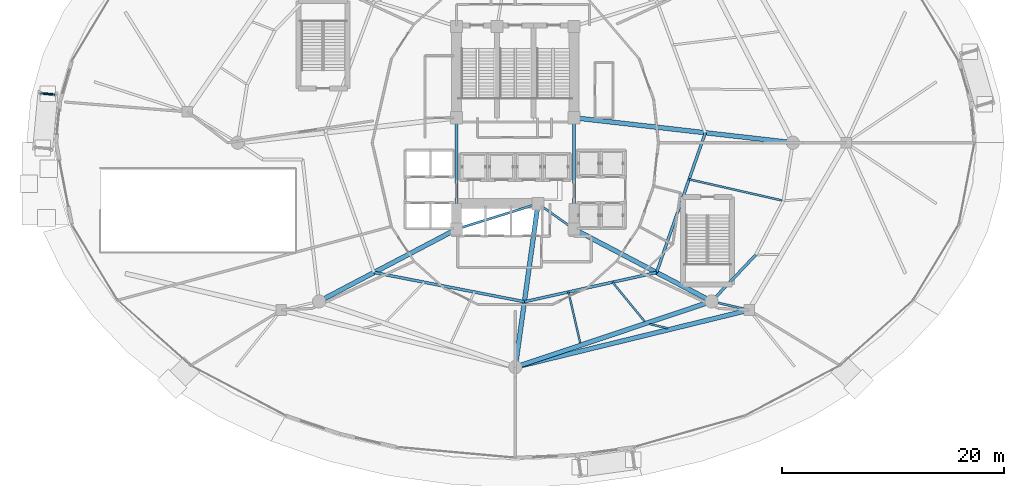
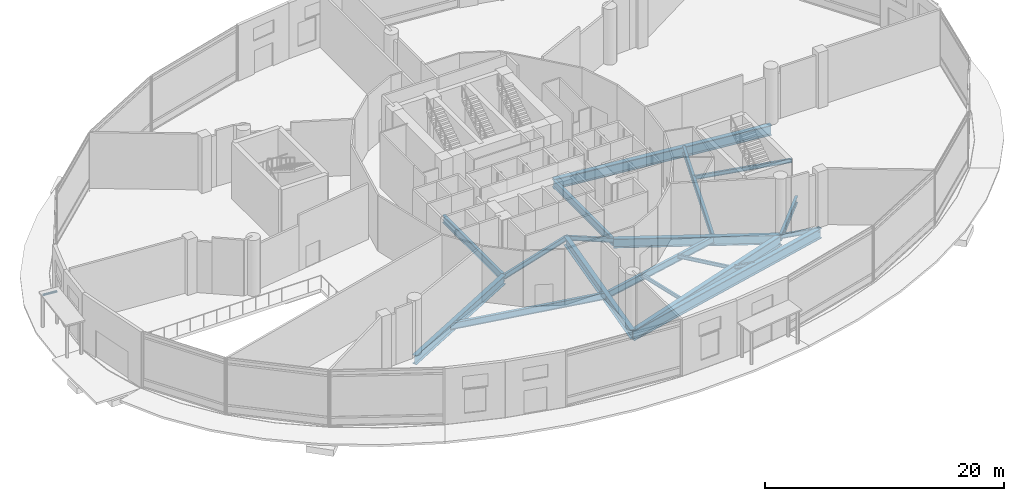
# One storey, part 15 of 40: 19 beams, 1 member.
"""IFC4 building model written with IfcOpenShell, lengths in metres."""

from ifc_helpers import new_model, si_unit, direction, frame, origin, origin_2d, place, context, subcontext, project, spatial, hollow_circle, i_section, extrude, material, material_profile, profile_set, type_object, element, save


model = new_model("IFC4")

# Units and contexts
model_context = context("Model", 3, precision=1e-05, world=origin(), true_north=direction((0.0, 1.0)))
body_context = subcontext(model_context, "Body", "Model", "MODEL_VIEW")
ifc_project = project(units=[si_unit("LENGTHUNIT", "METRE"), si_unit("AREAUNIT", "SQUARE_METRE"), si_unit("VOLUMEUNIT", "CUBIC_METRE"), si_unit("PLANEANGLEUNIT", "RADIAN"), si_unit("MASSUNIT", "GRAM", prefix="KILO")], contexts=[model_context])

# Site, building, storey
site_placement = place(None, origin())
site = spatial("IfcSite", under=ifc_project, at=site_placement, CompositionType="ELEMENT")
building_placement = place(site_placement, origin())
building = spatial("IfcBuilding", under=site, at=building_placement, Name="Nuhasar Tower", CompositionType="ELEMENT")
storey_placement = place(building_placement, origin())
storey = spatial("IfcBuildingStorey", under=building, at=storey_placement, Name="L00", CompositionType="ELEMENT", Elevation=0.0)

# Beams
ifc_material_1 = material(Name="Steel S355", Category="steel")
ifc_material_profile_1 = material_profile(ifc_material_1, i_section(OverallWidth=0.25390625, OverallDepth=0.68408203125, WebThickness=0.012451171875, FlangeThickness=0.018798828125, at=origin_2d()), Name="W27X94")
ifc_profile_set_1 = profile_set([ifc_material_profile_1], Name="Steel S355")
beam_type_1 = type_object("IfcBeamType", Name="BM-INRING-W27X94", PredefinedType="BEAM", material=ifc_profile_set_1)
beam_1_placement = place(storey_placement, frame((26.251953125, 15.089111328125, -0.662109375), z_axis=(0.981602977761, -0.190933480695, 0.0), x_axis=(0.190933480695, 0.981602977761, 0.0)))
element("IfcBeam", 1, at=beam_1_placement, inside=storey, type_object=beam_type_1, Name="L00 Inner Header Beam 01", PredefinedType="BEAM", context=body_context, shape_type="SweptSolid", body=[
    extrude(i_section(OverallWidth=0.25390625, OverallDepth=0.68408203125, WebThickness=0.012451171875, FlangeThickness=0.018798828125, at=origin_2d()), origin(), (0.0, 0.0, 1.0), 13.822509765625),
])
beam_2_placement = place(storey_placement, frame((39.820068359375, 12.449951171875, -0.662109375), z_axis=(0.976386023343, 0.216033176665, 0.0), x_axis=(-0.216033176665, 0.976386023343, 0.0)))
element("IfcBeam", 2, at=beam_2_placement, inside=storey, type_object=beam_type_1, Name="L00 Inner Header Beam 02", PredefinedType="BEAM", context=body_context, shape_type="SweptSolid", body=[
    extrude(i_section(OverallWidth=0.25390625, OverallDepth=0.68408203125, WebThickness=0.012451171875, FlangeThickness=0.018798828125, at=origin_2d()), origin(), (0.0, 0.0, 1.0), 12.216552734375),
])
beam_3_placement = place(storey_placement, frame((51.748046875, 15.089111328125, -0.662109375), z_axis=(0.329554049858, 0.944136710558, 0.0), x_axis=(-0.944136710558, 0.329554049858, 0.0)))
element("IfcBeam", 3, at=beam_3_placement, inside=storey, type_object=beam_type_1, Name="L00 Inner Header Beam 03", PredefinedType="BEAM", context=body_context, shape_type="SweptSolid", body=[
    extrude(i_section(OverallWidth=0.25390625, OverallDepth=0.68408203125, WebThickness=0.012451171875, FlangeThickness=0.018798828125, at=origin_2d()), origin(), (0.0, 0.0, 1.0), 13.35693359375),
])
ifc_material_profile_2 = material_profile(ifc_material_1, i_section(OverallWidth=0.1708984375, OverallDepth=0.35205078125, WebThickness=0.0068359375, FlangeThickness=0.009765625, at=origin_2d()), Name="W14X30")
ifc_profile_set_2 = profile_set([ifc_material_profile_2], Name="Steel S355")
beam_type_2 = type_object("IfcBeamType", Name="BM-JST-W14X30", PredefinedType="JOIST", material=ifc_profile_set_2)
beam_4_placement = place(storey_placement, frame((43.7958984375, 13.330078125, -0.49609375), z_axis=(0.224904818546, -0.974380738005, 0.0), x_axis=(0.974380738005, 0.224904818546, 0.0)))
element("IfcBeam", 4, at=beam_4_placement, inside=storey, type_object=beam_type_2, Name="L00 Secondary Floor Joist 03", PredefinedType="JOIST", context=body_context, shape_type="SweptSolid", body=[
    extrude(i_section(OverallWidth=0.1708984375, OverallDepth=0.35205078125, WebThickness=0.0068359375, FlangeThickness=0.009765625, at=origin_2d()), origin(), (0.0, 0.0, 1.0), 4.72216796875),
])
beam_5_placement = place(storey_placement, frame((47.77197265625, 14.208984375, -0.49609375), z_axis=(0.633863002168, -0.773445340333, 0.0), x_axis=(0.773445340333, 0.633863002168, 0.0)))
element("IfcBeam", 5, at=beam_5_placement, inside=storey, type_object=beam_type_2, Name="L00 Secondary Floor Joist 04", PredefinedType="JOIST", context=body_context, shape_type="SweptSolid", body=[
    extrude(i_section(OverallWidth=0.1708984375, OverallDepth=0.35205078125, WebThickness=0.0068359375, FlangeThickness=0.009765625, at=origin_2d()), origin(), (0.0, 0.0, 1.0), 4.5703125),
])
beam_6_placement = place(storey_placement, frame((51.117919921875, 10.43310546875, -0.49609375), z_axis=(0.97467582406, -0.223622534626, 0.0), x_axis=(0.223622534626, 0.97467582406, 0.0)))
element("IfcBeam", 6, at=beam_6_placement, inside=storey, type_object=beam_type_2, Name="L00 Podium Secondary Joist 04", PredefinedType="JOIST", context=body_context, shape_type="SweptSolid", body=[
    extrude(i_section(OverallWidth=0.1708984375, OverallDepth=0.35205078125, WebThickness=0.0068359375, FlangeThickness=0.009765625, at=origin_2d()), origin(), (0.0, 0.0, 1.0), 1.686767578125),
])
ifc_material_profile_3 = material_profile(ifc_material_1, i_section(OverallWidth=0.177978515625, OverallDepth=0.406005859375, WebThickness=0.0078125, FlangeThickness=0.0126953125, at=origin_2d()), Name="W16X40")
ifc_profile_set_3 = profile_set([ifc_material_profile_3], Name="Steel S355")
beam_type_3 = type_object("IfcBeamType", Name="BM-JST-W16X40", PredefinedType="JOIST", material=ifc_profile_set_3)
beam_7_placement = place(storey_placement, frame((54.68310546875, 23.49609375, -0.52294921875), z_axis=(0.975061715499, -0.221933888733, 0.0), x_axis=(0.221933888733, 0.975061715499, 0.0)))
element("IfcBeam", 7, at=beam_7_placement, inside=storey, type_object=beam_type_3, Name="L00 Secondary Floor Joist 06", PredefinedType="JOIST", context=body_context, shape_type="SweptSolid", body=[
    extrude(i_section(OverallWidth=0.177978515625, OverallDepth=0.406005859375, WebThickness=0.0078125, FlangeThickness=0.0126953125, at=origin_2d()), origin(), (0.0, 0.0, 1.0), 8.6025390625),
])
ifc_material_profile_4 = material_profile(ifc_material_1, i_section(OverallWidth=0.419921875, OverallDepth=0.931884765625, WebThickness=0.021240234375, FlangeThickness=0.03662109375, at=origin_2d()), Name="W36X262")
ifc_profile_set_4 = profile_set([ifc_material_profile_4], Name="Steel S355")
beam_type_4 = type_object("IfcBeamType", Name="BM-POD-W36X262", PredefinedType="BEAM", material=ifc_profile_set_4)
beam_8_placement = place(storey_placement, frame((33.699951171875, 19.0, -0.785888671875), z_axis=(-0.885330348705, -0.464962550816, 0.0), x_axis=(0.464962550816, -0.885330348705, 0.0)))
element("IfcBeam", 8, at=beam_8_placement, inside=storey, type_object=beam_type_4, Name="L00 Radial Floor Girder 01", PredefinedType="BEAM", context=body_context, shape_type="SweptSolid", body=[
    extrude(i_section(OverallWidth=0.419921875, OverallDepth=0.931884765625, WebThickness=0.021240234375, FlangeThickness=0.03662109375, at=origin_2d()), origin(), (0.0, 0.0, 1.0), 14.0205078125),
])
beam_9_placement = place(storey_placement, frame((41.050048828125, 21.300048828125, -0.785888671875), z_axis=(-0.137663087856, -0.990479113481, 0.0), x_axis=(0.990479113481, -0.137663087856, 0.0)))
element("IfcBeam", 9, at=beam_9_placement, inside=storey, type_object=beam_type_4, Name="L00 Radial Floor Girder 02", PredefinedType="BEAM", context=body_context, shape_type="SweptSolid", body=[
    extrude(i_section(OverallWidth=0.419921875, OverallDepth=0.931884765625, WebThickness=0.021240234375, FlangeThickness=0.03662109375, at=origin_2d()), origin(), (0.0, 0.0, 1.0), 14.891845703125),
])
beam_10_placement = place(storey_placement, frame((44.300048828125, 19.0, -0.785888671875), z_axis=(0.885330348705, -0.464962550816, 0.0), x_axis=(0.464962550816, 0.885330348705, 0.0)))
element("IfcBeam", 10, at=beam_10_placement, inside=storey, type_object=beam_type_4, Name="L00 Radial Floor Girder 03", PredefinedType="BEAM", context=body_context, shape_type="SweptSolid", body=[
    extrude(i_section(OverallWidth=0.419921875, OverallDepth=0.931884765625, WebThickness=0.021240234375, FlangeThickness=0.03662109375, at=origin_2d()), origin(), (0.0, 0.0, 1.0), 14.0205078125),
])
ifc_material_profile_5 = material_profile(ifc_material_1, i_section(OverallWidth=0.18994140625, OverallDepth=0.45703125, WebThickness=0.009033203125, FlangeThickness=0.014404296875, at=origin_2d()), Name="W18X50")
ifc_profile_set_5 = profile_set([ifc_material_profile_5], Name="Steel S355")
beam_type_5 = type_object("IfcBeamType", Name="BM-RAD-W18X50", PredefinedType="BEAM", material=ifc_profile_set_5)
beam_11_placement = place(storey_placement, frame((41.050048828125, 21.300048828125, -0.548095703125), z_axis=(0.816265428953, -0.577677028708, 0.0), x_axis=(0.577677028708, 0.816265428953, 0.0)))
element("IfcBeam", 11, at=beam_11_placement, inside=storey, type_object=beam_type_5, Name="L00 Core Ring Girder 2", PredefinedType="BEAM", context=body_context, shape_type="SweptSolid", body=[
    extrude(i_section(OverallWidth=0.18994140625, OverallDepth=0.45703125, WebThickness=0.009033203125, FlangeThickness=0.014404296875, at=origin_2d()), origin(), (0.0, 0.0, 1.0), 3.9814453125),
])
beam_12_placement = place(storey_placement, frame((56.712890625, 12.48095703125, -0.548095703125), z_axis=(0.974715141502, -0.223451097394, 0.0), x_axis=(0.223451097394, 0.974715141502, 0.0)))
element("IfcBeam", 12, at=beam_12_placement, inside=storey, type_object=beam_type_5, Name="L00 Podium Radial Girder 03", PredefinedType="BEAM", context=body_context, shape_type="SweptSolid", body=[
    extrude(i_section(OverallWidth=0.18994140625, OverallDepth=0.45703125, WebThickness=0.009033203125, FlangeThickness=0.014404296875, at=origin_2d()), origin(), (0.0, 0.0, 1.0), 3.482177734375),
])
ifc_material_profile_6 = material_profile(ifc_material_1, i_section(OverallWidth=0.208984375, OverallDepth=0.532958984375, WebThickness=0.01025390625, FlangeThickness=0.015625, at=origin_2d()), Name="W21X62")
ifc_profile_set_6 = profile_set([ifc_material_profile_6], Name="Steel S355")
beam_type_6 = type_object("IfcBeamType", Name="BM-RAD-W21X62", PredefinedType="BEAM", material=ifc_profile_set_6)
beam_13_placement = place(storey_placement, frame((33.699951171875, 19.0, -0.5869140625), z_axis=(0.954363709454, 0.298646798205, 0.0), x_axis=(-0.298646798205, 0.954363709454, 0.0)))
element("IfcBeam", 13, at=beam_13_placement, inside=storey, type_object=beam_type_6, Name="L00 Core Ring Girder 1", PredefinedType="BEAM", context=body_context, shape_type="SweptSolid", body=[
    extrude(i_section(OverallWidth=0.208984375, OverallDepth=0.532958984375, WebThickness=0.01025390625, FlangeThickness=0.015625, at=origin_2d()), origin(), (0.0, 0.0, 1.0), 7.70166015625),
])
ifc_material_profile_7 = material_profile(ifc_material_1, i_section(OverallWidth=0.26611328125, OverallDepth=0.779052734375, WebThickness=0.0166015625, FlangeThickness=0.030029296875, at=origin_2d()), Name="W30X148")
ifc_profile_set_7 = profile_set([ifc_material_profile_7], Name="Steel S355")
beam_type_7 = type_object("IfcBeamType", Name="BM-RAD-W30X148", PredefinedType="BEAM", material=ifc_profile_set_7)
for number, where, z_axis, x_axis, name in (
    (14, (44.300048828125, 19.0, -0.7099609375), (0.0, 1.0, 0.0), (-1.0, 0.0, 0.0), "L00 Core Ring Girder 3"),
    (15, (33.699951171875, 29.050048828125, -0.7099609375), (0.0, -1.0, 0.0), (1.0, 0.0, 0.0), "L00 Core Ring Girder 8"),
):
    element("IfcBeam", number, at=place(storey_placement, frame(where, z_axis=z_axis, x_axis=x_axis)), inside=storey, type_object=beam_type_7, Name=name, PredefinedType="BEAM", context=body_context, shape_type="SweptSolid", body=[
        extrude(i_section(OverallWidth=0.26611328125, OverallDepth=0.779052734375, WebThickness=0.0166015625, FlangeThickness=0.030029296875, at=origin_2d()), origin(), (0.0, 0.0, 1.0), 10.050048828125),
    ])
ifc_material_profile_8 = material_profile(ifc_material_1, i_section(OverallWidth=0.256103515625, OverallDepth=0.693115234375, WebThickness=0.014404296875, FlangeThickness=0.023681640625, at=origin_2d()), Name="W27X114")
ifc_profile_set_8 = profile_set([ifc_material_profile_8], Name="Steel S355")
beam_type_8 = type_object("IfcBeamType", Name="BM-RING-W27X114", PredefinedType="SPANDREL", material=ifc_profile_set_8)
beam_14_placement = place(storey_placement, frame((56.712890625, 12.48095703125, -0.666015625), z_axis=(0.688459812429, 0.725274490569, 0.0), x_axis=(-0.725274490569, 0.688459812429, 0.0)))
element("IfcBeam", 16, at=beam_14_placement, inside=storey, type_object=beam_type_8, Name="L00 Mega-Column Perimeter Ring Spandrel 03-1", PredefinedType="SPANDREL", context=body_context, shape_type="SweptSolid", body=[
    extrude(i_section(OverallWidth=0.256103515625, OverallDepth=0.693115234375, WebThickness=0.014404296875, FlangeThickness=0.023681640625, at=origin_2d()), origin(), (0.0, 0.0, 1.0), 5.78271484375),
])
ifc_material_2 = material(Name="Steel S460", Category="steel")
ifc_material_profile_9 = material_profile(ifc_material_2, i_section(OverallWidth=0.419921875, OverallDepth=1.0400390625, WebThickness=0.031005859375, FlangeThickness=0.055908203125, at=origin_2d()), Name="W40X397")
ifc_profile_set_9 = profile_set([ifc_material_profile_9], Name="Steel S460")
beam_type_9 = type_object("IfcBeamType", Name="BM-XFER-W40X397", PredefinedType="USERDEFINED", material=ifc_profile_set_9)
beam_15_placement = place(storey_placement, frame((39.0, 6.550048828125, -0.840087890625), z_axis=(0.948255042429, 0.317509644748, 0.0), x_axis=(-0.317509644748, 0.948255042429, 0.0)))
element("IfcBeam", 17, at=beam_15_placement, inside=storey, type_object=beam_type_9, Name="L00 Mega-Column Ring Girder 02", ObjectType="GIRDER", PredefinedType="USERDEFINED", context=body_context, shape_type="SweptSolid", body=[
    extrude(i_section(OverallWidth=0.419921875, OverallDepth=1.0400390625, WebThickness=0.031005859375, FlangeThickness=0.055908203125, at=origin_2d()), origin(), (0.0, 0.0, 1.0), 18.679443359375),
])
beam_16_placement = place(storey_placement, frame((44.300048828125, 29.050048828125, -0.840087890625), z_axis=(0.993573147212, -0.113191877531, 0.0), x_axis=(0.113191877531, 0.993573147212, 0.0)))
element("IfcBeam", 18, at=beam_16_placement, inside=storey, type_object=beam_type_9, Name="L00 Radial Floor Girder 04", ObjectType="GIRDER", PredefinedType="USERDEFINED", context=body_context, shape_type="SweptSolid", body=[
    extrude(i_section(OverallWidth=0.419921875, OverallDepth=1.0400390625, WebThickness=0.031005859375, FlangeThickness=0.055908203125, at=origin_2d()), origin(), (0.0, 0.0, 1.0), 19.877685546875),
])
beam_17_placement = place(storey_placement, frame((39.0, 6.550048828125, -0.840087890625), z_axis=(0.971469463574, 0.237164671365, 0.0), x_axis=(-0.237164671365, 0.971469463574, 0.0)))
element("IfcBeam", 19, at=beam_17_placement, inside=storey, type_object=beam_type_9, Name="L00 Podium Ring Girder 02", ObjectType="GIRDER", PredefinedType="USERDEFINED", context=body_context, shape_type="SweptSolid", body=[
    extrude(i_section(OverallWidth=0.419921875, OverallDepth=1.0400390625, WebThickness=0.031005859375, FlangeThickness=0.055908203125, at=origin_2d()), origin(), (0.0, 0.0, 1.0), 21.726806640625),
])

# Member
ifc_material_profile_10 = material_profile(ifc_material_1, hollow_circle(Radius=0.109619140625, WallThickness=0.0126953125, at=origin_2d()), Name="HSS219.1X12.7")
ifc_profile_set_10 = profile_set([ifc_material_profile_10], Name="Steel S355")
member_type = type_object("IfcMemberType", Name="CANOPY-RAFTER-219", PredefinedType="RAFTER", material=ifc_profile_set_10)
member_placement = place(storey_placement, frame((-2.535888671875, 31.138916015625, 3.25), z_axis=(-0.995517374359, 0.094578841975, 0.0), x_axis=(-0.094578841975, -0.995517374359, 0.0)))
element("IfcMember", 20, at=member_placement, inside=storey, type_object=member_type, Name="L00 Entrance Canopy Rafter NorthWest 1", PredefinedType="RAFTER", context=body_context, shape_type="SweptSolid", body=[
    extrude(hollow_circle(Radius=0.109619140625, WallThickness=0.0126953125, at=origin_2d()), origin(), (0.0, 0.0, 1.0), 1.301025390625),
])

save(model, "model.ifc")
